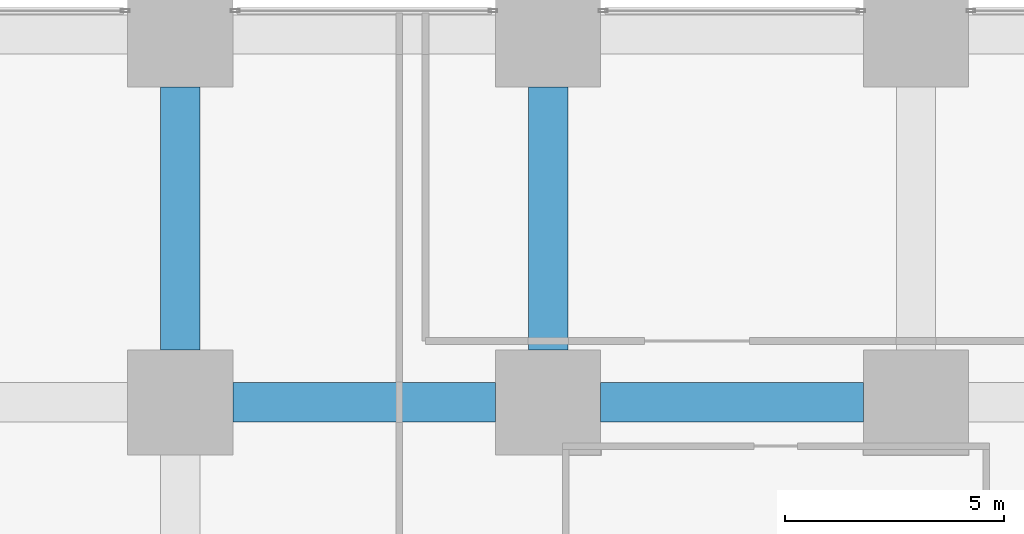
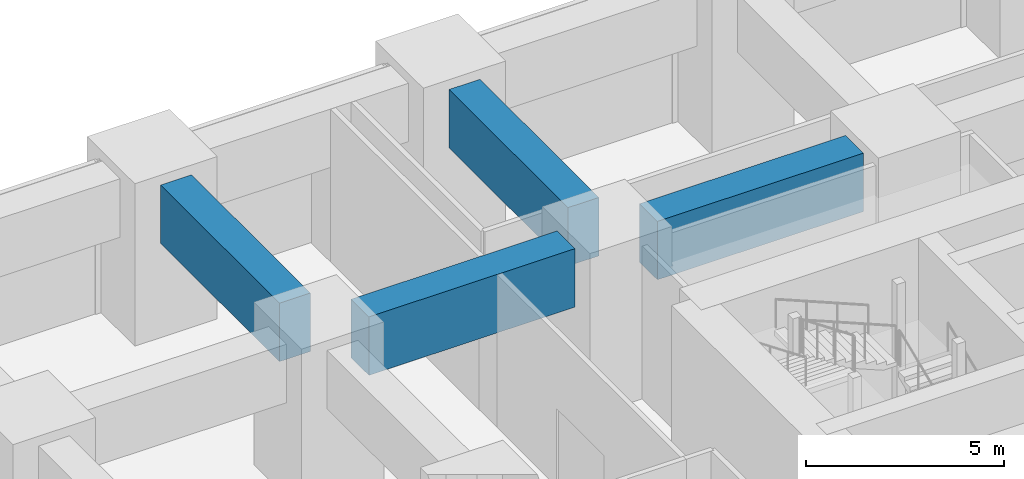
# One storey, part 24 of 49: 4 beams.
"""IFC4 building model written with IfcOpenShell, lengths in metres."""

import ifcopenshell
import ifcopenshell.guid

model = None  # the IFC model being written
_history = None  # IfcOwnerHistory: only IFC2X3 demands one
_inside = {}  # id of a spatial element -> (the spatial element, [elements in it])
_under = {}  # id of a project, library or spatial element -> (it, [spatial elements below it])
_declared = {}  # id of a project -> (the project, [libraries it declares])
_typed = {}  # id of a type object -> (the type object, [elements of that type])
_made_of = {}  # id of a material, layer set ... -> (it, [elements and type objects made of it])


def new_model(schema):
    """Start an empty IFC model of exactly this schema.

    Asked for "IFC4X3", IfcOpenShell would pick the latest addendum, in which some entities
    have other attributes; the version numbers below select the first issue.
    IFC2X3 requires an IfcOwnerHistory on every rooted entity: one is made here for all.
    """
    global model, _history
    if schema == "IFC4X3":
        model = ifcopenshell.file(schema_version=(4, 3, 0, 0))
    else:
        model = ifcopenshell.file(schema=schema)
    _inside.clear()
    _under.clear()
    _declared.clear()
    _typed.clear()
    _made_of.clear()
    _history = None
    if model.schema == "IFC2X3":
        org = make("IfcOrganization", Name="unknown")
        user = make(
            "IfcPersonAndOrganization",
            ThePerson=make("IfcPerson", FamilyName="unknown"),
            TheOrganization=org,
        )
        app = make(
            "IfcApplication",
            ApplicationDeveloper=org,
            Version="unknown",
            ApplicationFullName="unknown",
            ApplicationIdentifier="unknown",
        )
        _history = make(
            "IfcOwnerHistory",
            OwningUser=user,
            OwningApplication=app,
            ChangeAction="ADDED",
            CreationDate=0,
        )
    return model


def make(cls, **values):
    """One entity of the class cls with the attributes given. An attribute that is None is left unset."""
    return model.create_entity(
        cls, **{name: value for name, value in values.items() if value is not None}
    )


def rooted(cls, **values):
    """An entity with a GlobalId (a new one), such as an element, a storey or a relation."""
    return make(cls, GlobalId=ifcopenshell.guid.new(), OwnerHistory=_history, **values)


def si_unit(unit_type, name, prefix=None):
    """IfcSIUnit, for example si_unit("LENGTHUNIT", "METRE", prefix="MILLI")."""
    return make("IfcSIUnit", UnitType=unit_type, Prefix=prefix, Name=name)


def assignment(units):
    """IfcUnitAssignment: the units of a project."""
    return None if units is None else make("IfcUnitAssignment", Units=units)


def point(xyz):
    """IfcCartesianPoint."""
    return None if xyz is None else make("IfcCartesianPoint", Coordinates=xyz)


def direction(xyz):
    """IfcDirection."""
    return None if xyz is None else make("IfcDirection", DirectionRatios=xyz)


def frame(location, z_axis=None, x_axis=None):
    """IfcAxis2Placement3D, a coordinate frame: its origin and axes. An axis left out is left unset."""
    return make(
        "IfcAxis2Placement3D",
        Location=point(location),
        Axis=direction(z_axis),
        RefDirection=direction(x_axis),
    )


def frame_2d(location, x_axis=None):
    """IfcAxis2Placement2D, a coordinate frame in the plane: its origin and x axis."""
    return make(
        "IfcAxis2Placement2D", Location=point(location), RefDirection=direction(x_axis)
    )


def origin():
    """The frame at (0, 0, 0) with its axes left unset."""
    return frame((0.0, 0.0, 0.0))


def origin_2d():
    """The frame at (0, 0) in the plane with its x axis left unset."""
    return frame_2d((0.0, 0.0))


def place(relative_to, where):
    """IfcLocalPlacement: puts the frame where relative to a parent placement (None: the world)."""
    return make(
        "IfcLocalPlacement", PlacementRelTo=relative_to, RelativePlacement=where
    )


def context(
    kind, dimensions, precision=None, world=None, true_north=None, identifier=None
):
    """IfcGeometricRepresentationContext, for example the 3D "Model" context."""
    return make(
        "IfcGeometricRepresentationContext",
        ContextIdentifier=identifier,
        ContextType=kind,
        CoordinateSpaceDimension=dimensions,
        Precision=precision,
        WorldCoordinateSystem=world,
        TrueNorth=true_north,
    )


def subcontext(parent, identifier, kind, view, scale=None):
    """IfcGeometricRepresentationSubContext, for example "Body" below "Model"."""
    return make(
        "IfcGeometricRepresentationSubContext",
        ContextIdentifier=identifier,
        ContextType=kind,
        ParentContext=parent,
        TargetScale=scale,
        TargetView=view,
    )


def project(units=None, contexts=None):
    """IfcProject with its units and contexts."""
    return rooted(
        "IfcProject",
        Name="project",
        RepresentationContexts=contexts,
        UnitsInContext=assignment(units),
    )


def spatial(cls, under=None, at=None, **own):
    """A site, building, storey or space (cls), placed at a placement, below another one or the project."""
    s = rooted(cls, ObjectPlacement=at, **own)
    if under is not None:
        _under.setdefault(under.id(), (under, []))[1].append(s)
    return s


def profile(cls, at=None, kind="AREA", **sizes):
    """A parametric profile (cls). Its sizes go by their IFC names, for example OverallWidth=200.0."""
    return make(cls, ProfileType=kind, Position=at, **sizes)


def rectangle(**sizes):
    """IfcRectangleProfileDef."""
    return profile("IfcRectangleProfileDef", **sizes)


def extrude(swept, where, along, depth):
    """IfcExtrudedAreaSolid: the profile swept, set in the frame where, extruded along a direction by depth."""
    return make(
        "IfcExtrudedAreaSolid",
        SweptArea=swept,
        Position=where,
        ExtrudedDirection=direction(along),
        Depth=depth,
    )


def shape(context_of_items, identifier, shape_type, items):
    """IfcShapeRepresentation: the items that make up one representation, for example the "Body"."""
    return make(
        "IfcShapeRepresentation",
        ContextOfItems=context_of_items,
        RepresentationIdentifier=identifier,
        RepresentationType=shape_type,
        Items=items,
    )


def material(Name=None, Category=None):
    """IfcMaterial."""
    return make("IfcMaterial", Name=Name, Category=Category)


def material_profile(
    of_material, cross_section, Name=None, Category=None, Priority=None
):
    """IfcMaterialProfile: a cross section and its material."""
    return make(
        "IfcMaterialProfile",
        Name=Name,
        Material=of_material,
        Profile=cross_section,
        Priority=Priority,
        Category=Category,
    )


def profile_set(profiles, Name=None, composite=None):
    """IfcMaterialProfileSet."""
    return make(
        "IfcMaterialProfileSet",
        Name=Name,
        MaterialProfiles=profiles,
        CompositeProfile=composite,
    )


def made_of(thing, what):
    """Note that an element or type object is made of a material, layer set ...; save() writes the relation."""
    if what is not None:
        _made_of.setdefault(what.id(), (what, []))[1].append(thing)
    return thing


def type_object(cls, material=None, **own):
    """A type object (cls), such as IfcWallType, which elements share."""
    return made_of(rooted(cls, **own), material)


def element(
    cls,
    number,
    at=None,
    inside=None,
    cuts=None,
    type_object=None,
    material=None,
    context=None,
    identifier="Body",
    shape_type=None,
    held_by="IfcProductDefinitionShape",
    body=None,
    shapes=None,
    **own,
):
    """One element of the class cls, such as IfcWall. Its Tag is "e" and its number.

    at: its placement. inside: the storey or other place that contains it. cuts: it is an
    opening in that element (IfcRelVoidsElement). A single representation is given by context,
    identifier, shape_type and body (its items); several are given by shapes. held_by: the class
    of the entity that holds the representations. save() writes the other relations.
    """
    e = rooted(cls, Tag="e%d" % number, ObjectPlacement=at, **own)
    if body is not None:
        shapes = [shape(context, identifier, shape_type, body)]
    if shapes is not None:
        e.Representation = make(held_by, Representations=shapes)
    if inside is not None:
        _inside.setdefault(inside.id(), (inside, []))[1].append(e)
    if cuts is not None:
        rooted(
            "IfcRelVoidsElement", RelatingBuildingElement=cuts, RelatedOpeningElement=e
        )
    if type_object is not None:
        _typed.setdefault(type_object.id(), (type_object, []))[1].append(e)
    return made_of(e, material)


def aggregate(whole, parts):
    """IfcRelAggregates: a whole, such as a stair, and the parts it consists of."""
    return rooted("IfcRelAggregates", RelatingObject=whole, RelatedObjects=parts)


def save(model, path):
    """Write the relations noted so far, then the file.

    IfcRelAggregates (storeys below a building ...), IfcRelContainedInSpatialStructure (elements
    in a storey), IfcRelDefinesByType, IfcRelAssociatesMaterial and IfcRelDeclares: one each for
    every whole, place, type object, material and project.
    """
    for whole, parts in _under.values():
        aggregate(whole, parts)
    for where, things in _inside.values():
        rooted(
            "IfcRelContainedInSpatialStructure",
            RelatedElements=things,
            RelatingStructure=where,
        )
    for kind, things in _typed.values():
        rooted("IfcRelDefinesByType", RelatedObjects=things, RelatingType=kind)
    for what, things in _made_of.values():
        rooted("IfcRelAssociatesMaterial", RelatedObjects=things, RelatingMaterial=what)
    for by, libraries in _declared.values():
        rooted("IfcRelDeclares", RelatingContext=by, RelatedDefinitions=libraries)
    model.write(path)


model = new_model("IFC4")

# Units and contexts
model_context = context("Model", 3, precision=1e-05, world=origin(), true_north=direction((0.0, 1.0)))
body_context = subcontext(model_context, "Body", "Model", "MODEL_VIEW")
ifc_project = project(units=[si_unit("LENGTHUNIT", "METRE"), si_unit("AREAUNIT", "SQUARE_METRE"), si_unit("VOLUMEUNIT", "CUBIC_METRE"), si_unit("PLANEANGLEUNIT", "RADIAN"), si_unit("MASSUNIT", "GRAM", prefix="KILO")], contexts=[model_context])

# Site, building, storey
site_placement = place(None, origin())
site = spatial("IfcSite", under=ifc_project, at=site_placement, CompositionType="ELEMENT")
building_placement = place(site_placement, origin())
building = spatial("IfcBuilding", under=site, at=building_placement, Name="Rekha Terrace Tower", CompositionType="ELEMENT")
storey_placement = place(building_placement, frame((0.0, 0.0, 10.39990234375)))
storey = spatial("IfcBuildingStorey", under=building, at=storey_placement, Name="L02", CompositionType="ELEMENT", Elevation=10.39990234375)

# Beams
ifc_material = material(Name="Concrete M60", Category="concrete")
ifc_material_profile = material_profile(ifc_material, rectangle(XDim=0.89990234375, YDim=1.800048828125, at=origin_2d()), Name="RC 900x1800")
ifc_profile_set = profile_set([ifc_material_profile], Name="Concrete M60")
beam_type = type_object("IfcBeamType", Name="G1 900x1800 podium floor beam", PredefinedType="BEAM", material=ifc_profile_set)
for number, where, z_axis, x_axis, name in (
    (1, (18.0, 50.39990234375, 3.800048828125), (1.0, 0.0, 0.0), (0.0, 1.0, 0.0), "Beam G1 3G-4G under L03"),
    (2, (16.800048828125, 51.60009765625, 3.800048828125), (0.0, 1.0, 0.0), (-1.0, 0.0, 0.0), "Beam G1 3G-3H under L03"),
    (3, (26.39990234375, 50.39990234375, 3.800048828125), (1.0, 0.0, 0.0), (0.0, 1.0, 0.0), "Beam G1 4G-5G under L03"),
    (4, (25.199951171875, 51.60009765625, 3.800048828125), (0.0, 1.0, 0.0), (-1.0, 0.0, 0.0), "Beam G1 4G-4H under L03"),
):
    element("IfcBeam", number, at=place(storey_placement, frame(where, z_axis=z_axis, x_axis=x_axis)), inside=storey, type_object=beam_type, Name=name, PredefinedType="BEAM", context=body_context, shape_type="SweptSolid", body=[
        extrude(rectangle(XDim=0.89990234375, YDim=1.800048828125, at=origin_2d()), origin(), (0.0, 0.0, 1.0), 6.0),
    ])

save(model, "model.ifc")
